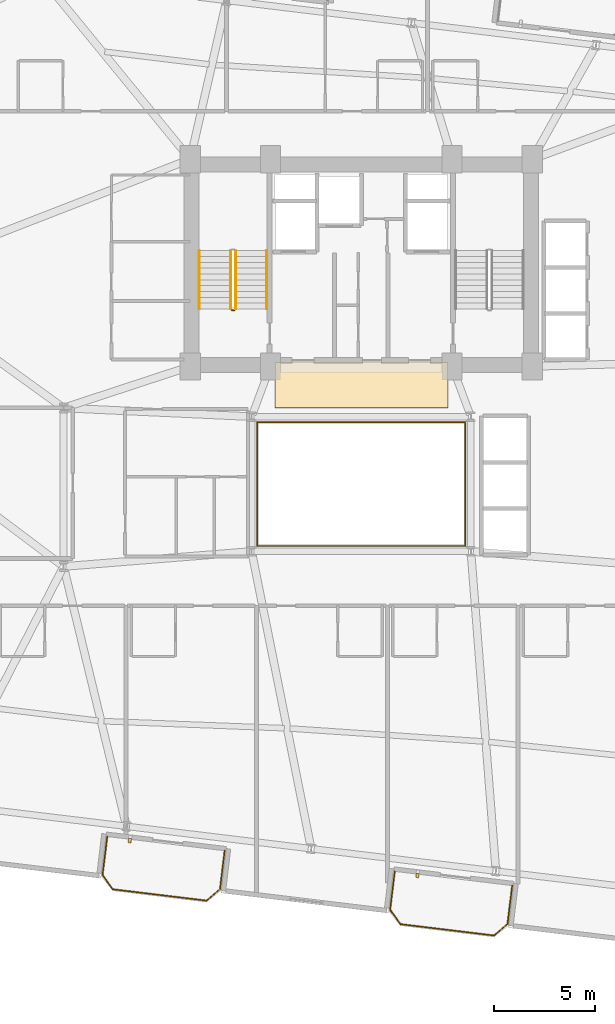
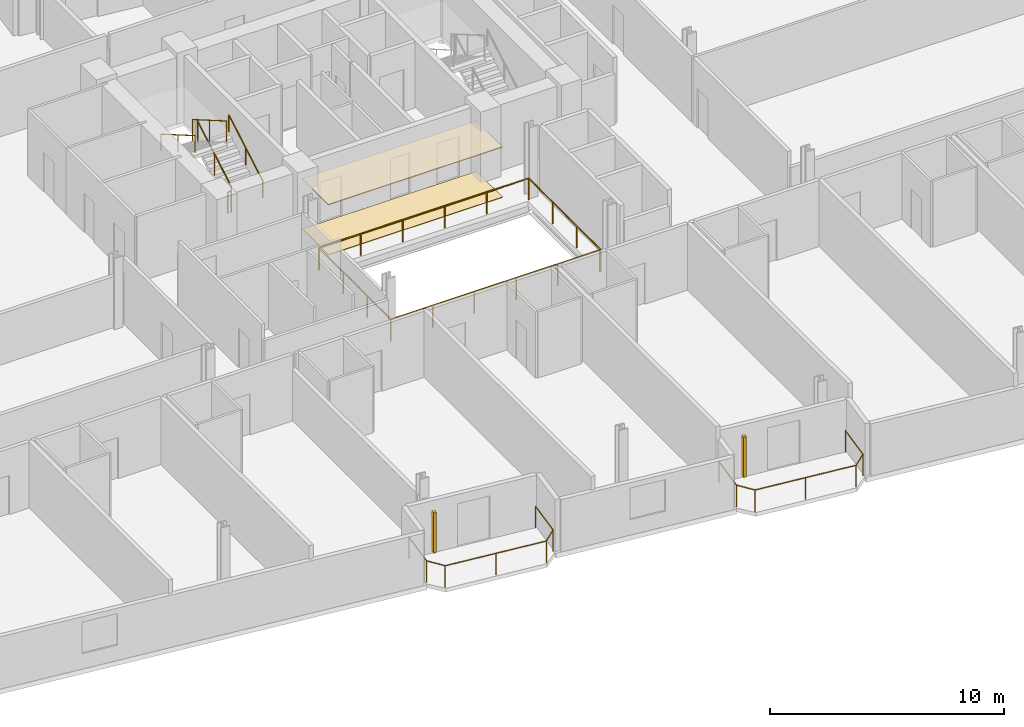
# One storey, part 25 of 26: 9 railings, 2 coverings, 2 shading devices.
"""IFC4 building model written with IfcOpenShell, lengths in metres."""

from ifc_helpers import new_model, si_unit, direction, frame, origin, origin_2d, place, context, subcontext, project, spatial, rectangle, circle, extrude, source, transform, mapped, material, layer, layer_set, type_object, element, save


model = new_model("IFC4")

# Units and contexts
model_context = context("Model", 3, precision=1e-05, world=origin(), true_north=direction((0.0, 1.0)))
body_context = subcontext(model_context, "Body", "Model", "MODEL_VIEW")
ifc_project = project(units=[si_unit("LENGTHUNIT", "METRE"), si_unit("AREAUNIT", "SQUARE_METRE"), si_unit("VOLUMEUNIT", "CUBIC_METRE"), si_unit("PLANEANGLEUNIT", "RADIAN"), si_unit("MASSUNIT", "GRAM", prefix="KILO")], contexts=[model_context])

# Site, building, storey
site_placement = place(None, origin())
site = spatial("IfcSite", under=ifc_project, at=site_placement, CompositionType="ELEMENT")
building_placement = place(site_placement, origin())
building = spatial("IfcBuilding", under=site, at=building_placement, Name="Varnelok Gate Tower", CompositionType="ELEMENT")
storey_placement = place(building_placement, frame((0.0, 0.0, 129.10009765625)))
storey = spatial("IfcBuildingStorey", under=building, at=storey_placement, Name="L32", CompositionType="ELEMENT", Elevation=129.10009765625)

# Railings
ifc_material_1 = material(Name="Tempered Laminated Balustrade Glass", Category="glass")
railing_type_1 = type_object("IfcRailingType", Name="RL-ATR-GUARD1150", PredefinedType="GUARDRAIL", material=ifc_material_1)
railing_1_placement = place(storey_placement, frame((34.02001953125, 25.929931640625, 0.0)))
element("IfcRailing", 1, at=railing_1_placement, inside=storey, type_object=railing_type_1, Name="L32 Internal Atrium South-West Guardrail", PredefinedType="GUARDRAIL", context=body_context, shape_type="SweptSolid", body=[
    extrude(circle(Radius=0.02392578125, at=origin_2d()), frame((0.0, 0.0, 1.1259765625), z_axis=(0.0, -1.0, 0.0), x_axis=(1.0, 0.0, 0.0)), (0.0, 0.0, 1.0), 6.10986328125),
    extrude(circle(Radius=0.02392578125, at=origin_2d()), frame((0.0, -6.10986328125, 1.1259765625), z_axis=(1.0, 0.0, 0.0), x_axis=(0.0, 1.0, 0.0)), (0.0, 0.0, 1.0), 10.31005859375),
    extrude(circle(Radius=0.02099609375, at=origin_2d()), origin(), (0.0, 0.0, 1.0), 1.101806640625),
    extrude(circle(Radius=0.02099609375, at=origin_2d()), frame((0.0, -2.03662109375, 0.0)), (0.0, 0.0, 1.0), 1.101806640625),
    extrude(circle(Radius=0.02099609375, at=origin_2d()), frame((0.0, -4.0732421875, 0.0)), (0.0, 0.0, 1.0), 1.101806640625),
    extrude(circle(Radius=0.02099609375, at=origin_2d()), frame((0.0, -6.10986328125, 0.0)), (0.0, 0.0, 1.0), 1.101806640625),
    extrude(circle(Radius=0.02099609375, at=origin_2d()), frame((2.06201171875, -6.10986328125, 0.0)), (0.0, 0.0, 1.0), 1.101806640625),
    extrude(circle(Radius=0.02099609375, at=origin_2d()), frame((4.1240234375, -6.10986328125, 0.0)), (0.0, 0.0, 1.0), 1.101806640625),
    extrude(circle(Radius=0.02099609375, at=origin_2d()), frame((6.18603515625, -6.10986328125, 0.0)), (0.0, 0.0, 1.0), 1.101806640625),
    extrude(circle(Radius=0.02099609375, at=origin_2d()), frame((8.248046875, -6.10986328125, 0.0)), (0.0, 0.0, 1.0), 1.101806640625),
    extrude(circle(Radius=0.02099609375, at=origin_2d()), frame((10.31005859375, -6.10986328125, 0.0)), (0.0, 0.0, 1.0), 1.101806640625),
])
railing_2_placement = place(storey_placement, frame((44.3798828125, 19.820068359375, 0.0)))
element("IfcRailing", 2, at=railing_2_placement, inside=storey, type_object=railing_type_1, Name="L32 Internal Atrium North-East Guardrail", PredefinedType="GUARDRAIL", context=body_context, shape_type="SweptSolid", body=[
    extrude(circle(Radius=0.02392578125, at=origin_2d()), frame((0.0, 0.0, 1.1259765625), z_axis=(0.0, 1.0, 0.0), x_axis=(-1.0, 0.0, 0.0)), (0.0, 0.0, 1.0), 6.159912109375),
    extrude(circle(Radius=0.02392578125, at=origin_2d()), frame((0.0, 6.159912109375, 1.1259765625), z_axis=(-1.0, 0.0, 0.0), x_axis=(0.0, -1.0, 0.0)), (0.0, 0.0, 1.0), 10.35986328125),
    extrude(circle(Radius=0.02099609375, at=origin_2d()), origin(), (0.0, 0.0, 1.0), 1.101806640625),
    extrude(circle(Radius=0.02099609375, at=origin_2d()), frame((0.0, 2.05322265625, 0.0)), (0.0, 0.0, 1.0), 1.101806640625),
    extrude(circle(Radius=0.02099609375, at=origin_2d()), frame((0.0, 4.106689453125, 0.0)), (0.0, 0.0, 1.0), 1.101806640625),
    extrude(circle(Radius=0.02099609375, at=origin_2d()), frame((0.0, 6.159912109375, 0.0)), (0.0, 0.0, 1.0), 1.101806640625),
    extrude(circle(Radius=0.02099609375, at=origin_2d()), frame((-2.072021484375, 6.159912109375, 0.0)), (0.0, 0.0, 1.0), 1.101806640625),
    extrude(circle(Radius=0.02099609375, at=origin_2d()), frame((-4.14404296875, 6.159912109375, 0.0)), (0.0, 0.0, 1.0), 1.101806640625),
    extrude(circle(Radius=0.02099609375, at=origin_2d()), frame((-6.2158203125, 6.159912109375, 0.0)), (0.0, 0.0, 1.0), 1.101806640625),
    extrude(circle(Radius=0.02099609375, at=origin_2d()), frame((-8.287841796875, 6.159912109375, 0.0)), (0.0, 0.0, 1.0), 1.101806640625),
    extrude(circle(Radius=0.02099609375, at=origin_2d()), frame((-10.35986328125, 6.159912109375, 0.0)), (0.0, 0.0, 1.0), 1.101806640625),
])
ifc_material_2 = material(Name="Low-E Laminated Double Glazing IGU", Category="glass")
railing_type_2 = type_object("IfcRailingType", Name="RL-BALC-1150", PredefinedType="BALUSTRADE", material=ifc_material_2)
railing_3_placement = place(storey_placement, frame((26.5703125, 5.375, 0.0)))
element("IfcRailing", 3, at=railing_3_placement, inside=storey, type_object=railing_type_2, Name="L32 South Terrace Balustrade 1", PredefinedType="BALUSTRADE", context=body_context, shape_type="SweptSolid", body=[
    extrude(circle(Radius=0.02392578125, at=origin_2d()), frame((0.0, 0.0, 1.1259765625), z_axis=(-0.120293392036, -0.992738384386, 0.0), x_axis=(0.992738384386, -0.120293392036, 0.0)), (0.0, 0.0, 1.0), 1.919921875),
    extrude(circle(Radius=0.02392578125, at=origin_2d()), frame((-0.23095703125, -1.906005859375, 1.1259765625), z_axis=(0.577971037086, -0.816057277579, 0.0), x_axis=(0.816057277579, 0.577971037086, 0.0)), (0.0, 0.0, 1.0), 0.877685546875),
    extrude(circle(Radius=0.02392578125, at=origin_2d()), frame((0.2763671875, -2.622314453125, 1.1259765625), z_axis=(0.992737542139, -0.120300342591, 0.0), x_axis=(0.120300342591, 0.992737542139, 0.0)), (0.0, 0.0, 1.0), 4.7001953125),
    extrude(circle(Radius=0.02392578125, at=origin_2d()), frame((4.9423828125, -3.187744140625, 1.1259765625), z_axis=(0.756303655992, 0.654220742513, 0.0), x_axis=(-0.654220742513, 0.756303655992, 0.0)), (0.0, 0.0, 1.0), 0.877685546875),
    extrude(circle(Radius=0.02392578125, at=origin_2d()), frame((5.606201171875, -2.613525390625, 1.1259765625), z_axis=(0.120418709125, 0.992723191274, 0.0), x_axis=(-0.992723191274, 0.120418709125, 0.0)), (0.0, 0.0, 1.0), 1.919921875),
    extrude(circle(Radius=0.02099609375, at=origin_2d()), origin(), (0.0, 0.0, 1.0), 1.101806640625),
    extrude(circle(Radius=0.02099609375, at=origin_2d()), frame((-0.23095703125, -1.906005859375, 0.0)), (0.0, 0.0, 1.0), 1.101806640625),
    extrude(circle(Radius=0.02099609375, at=origin_2d()), frame((0.2763671875, -2.622314453125, 0.0)), (0.0, 0.0, 1.0), 1.101806640625),
    extrude(circle(Radius=0.02099609375, at=origin_2d()), frame((2.609375, -2.905029296875, 0.0)), (0.0, 0.0, 1.0), 1.101806640625),
    extrude(circle(Radius=0.02099609375, at=origin_2d()), frame((4.9423828125, -3.187744140625, 0.0)), (0.0, 0.0, 1.0), 1.101806640625),
    extrude(circle(Radius=0.02099609375, at=origin_2d()), frame((5.606201171875, -2.613525390625, 0.0)), (0.0, 0.0, 1.0), 1.101806640625),
    extrude(circle(Radius=0.02099609375, at=origin_2d()), frame((5.83740234375, -0.70751953125, 0.0)), (0.0, 0.0, 1.0), 1.101806640625),
])
railing_4_placement = place(storey_placement, frame((40.86572265625, 3.64208984375, 0.0)))
element("IfcRailing", 4, at=railing_4_placement, inside=storey, type_object=railing_type_2, Name="L32 South Terrace Balustrade 2", PredefinedType="BALUSTRADE", context=body_context, shape_type="SweptSolid", body=[
    extrude(circle(Radius=0.02392578125, at=origin_2d()), frame((0.0, 0.0, 1.1259765625), z_axis=(-0.120418709125, -0.992723191274, 0.0), x_axis=(0.992723191274, -0.120418709125, 0.0)), (0.0, 0.0, 1.0), 1.919921875),
    extrude(circle(Radius=0.02392578125, at=origin_2d()), frame((-0.231201171875, -1.906005859375, 1.1259765625), z_axis=(0.57815621837, -0.815926091726, 0.0), x_axis=(0.815926091726, 0.57815621837, 0.0)), (0.0, 0.0, 1.0), 0.8779296875),
    extrude(circle(Radius=0.02392578125, at=origin_2d()), frame((0.2763671875, -2.622314453125, 1.1259765625), z_axis=(0.99273133746, -0.120351533534, 0.0), x_axis=(0.120351533534, 0.99273133746, 0.0)), (0.0, 0.0, 1.0), 4.7001953125),
    extrude(circle(Radius=0.02392578125, at=origin_2d()), frame((4.9423828125, -3.18798828125, 1.1259765625), z_axis=(0.756166036083, 0.654379802465, 0.0), x_axis=(-0.654379802465, 0.756166036083, 0.0)), (0.0, 0.0, 1.0), 0.8779296875),
    extrude(circle(Radius=0.02392578125, at=origin_2d()), frame((5.606201171875, -2.613525390625, 1.1259765625), z_axis=(0.120293392036, 0.992738384386, 0.0), x_axis=(-0.992738384386, 0.120293392036, 0.0)), (0.0, 0.0, 1.0), 1.919921875),
    extrude(circle(Radius=0.02099609375, at=origin_2d()), origin(), (0.0, 0.0, 1.0), 1.101806640625),
    extrude(circle(Radius=0.02099609375, at=origin_2d()), frame((-0.231201171875, -1.906005859375, 0.0)), (0.0, 0.0, 1.0), 1.101806640625),
    extrude(circle(Radius=0.02099609375, at=origin_2d()), frame((0.2763671875, -2.622314453125, 0.0)), (0.0, 0.0, 1.0), 1.101806640625),
    extrude(circle(Radius=0.02099609375, at=origin_2d()), frame((2.609375, -2.9052734375, 0.0)), (0.0, 0.0, 1.0), 1.101806640625),
    extrude(circle(Radius=0.02099609375, at=origin_2d()), frame((4.9423828125, -3.18798828125, 0.0)), (0.0, 0.0, 1.0), 1.101806640625),
    extrude(circle(Radius=0.02099609375, at=origin_2d()), frame((5.606201171875, -2.613525390625, 0.0)), (0.0, 0.0, 1.0), 1.101806640625),
    extrude(circle(Radius=0.02099609375, at=origin_2d()), frame((5.837158203125, -0.70751953125, 0.0)), (0.0, 0.0, 1.0), 1.101806640625),
])
ifc_material_3 = material(Name="Brushed Stainless Steel AISI 316", Category="steel")
railing_type_3 = type_object("IfcRailingType", Name="RL-HANDRAIL-900", PredefinedType="HANDRAIL", material=ifc_material_3)
railing_5_placement = place(storey_placement, frame((34.5, 31.60009765625, 0.16796875)))
element("IfcRailing", 5, at=railing_5_placement, inside=storey, type_object=railing_type_3, Name="L32 ST-1 stair handrail 1", PredefinedType="HANDRAIL", context=body_context, shape_type="SweptSolid", body=[
    extrude(circle(Radius=0.02392578125, at=origin_2d()), frame((0.0, 0.0, 0.8759765625), z_axis=(0.0, 0.865038774852, 0.501705010941), x_axis=(-1.0, 0.0, 0.0)), (0.0, 0.0, 1.0), 3.352294921875),
    extrude(circle(Radius=0.02099609375, at=origin_2d()), origin(), (0.0, 0.0, 1.0), 0.851806640625),
    extrude(circle(Radius=0.02099609375, at=origin_2d()), frame((0.0, 1.449951171875, 0.8408203125)), (0.0, 0.0, 1.0), 0.851806640625),
    extrude(circle(Radius=0.02099609375, at=origin_2d()), frame((0.0, 2.89990234375, 1.681884765625)), (0.0, 0.0, 1.0), 0.851806640625),
])
railing_6_placement = place(storey_placement, frame((31.14990234375, 34.5, 2.01806640625)))
element("IfcRailing", 6, at=railing_6_placement, inside=storey, type_object=railing_type_3, Name="L32 ST-1 stair handrail 2", PredefinedType="HANDRAIL", context=body_context, shape_type="SweptSolid", body=[
    extrude(circle(Radius=0.02392578125, at=origin_2d()), frame((0.0, 0.0, 0.8759765625), z_axis=(0.0, -0.865038774852, 0.501705010941), x_axis=(1.0, 0.0, 0.0)), (0.0, 0.0, 1.0), 3.352294921875),
    extrude(circle(Radius=0.02099609375, at=origin_2d()), origin(), (0.0, 0.0, 1.0), 0.851806640625),
    extrude(circle(Radius=0.02099609375, at=origin_2d()), frame((0.0, -1.449951171875, 0.8408203125)), (0.0, 0.0, 1.0), 0.851806640625),
    extrude(circle(Radius=0.02099609375, at=origin_2d()), frame((0.0, -2.89990234375, 1.681884765625)), (0.0, 0.0, 1.0), 0.851806640625),
])
ifc_material_4 = material(Name="Galvanized Steel Grade S350GD", Category="steel")
railing_type_4 = type_object("IfcRailingType", Name="RL-STAIR-GUARD1120", PredefinedType="GUARDRAIL", material=ifc_material_4)
railing_7_placement = place(storey_placement, frame((32.949951171875, 31.60009765625, 0.16796875)))
element("IfcRailing", 7, at=railing_7_placement, inside=storey, type_object=railing_type_4, Name="L32 ST-1 stair guard 1", PredefinedType="GUARDRAIL", context=body_context, shape_type="SweptSolid", body=[
    extrude(circle(Radius=0.02392578125, at=origin_2d()), frame((0.0, 0.0, 1.09619140625), z_axis=(0.0, 0.865038774852, 0.501705010941), x_axis=(-1.0, 0.0, 0.0)), (0.0, 0.0, 1.0), 3.352294921875),
    extrude(circle(Radius=0.02099609375, at=origin_2d()), origin(), (0.0, 0.0, 1.0), 1.072021484375),
    extrude(circle(Radius=0.02099609375, at=origin_2d()), frame((0.0, 1.449951171875, 0.8408203125)), (0.0, 0.0, 1.0), 1.072021484375),
    extrude(circle(Radius=0.02099609375, at=origin_2d()), frame((0.0, 2.89990234375, 1.681884765625)), (0.0, 0.0, 1.0), 1.072021484375),
])
railing_8_placement = place(storey_placement, frame((32.699951171875, 34.5, 2.01806640625)))
element("IfcRailing", 8, at=railing_8_placement, inside=storey, type_object=railing_type_4, Name="L32 ST-1 stair guard 3", PredefinedType="GUARDRAIL", context=body_context, shape_type="SweptSolid", body=[
    extrude(circle(Radius=0.02392578125, at=origin_2d()), frame((0.0, 0.0, 1.09619140625), z_axis=(0.0, -0.865038774852, 0.501705010941), x_axis=(1.0, 0.0, 0.0)), (0.0, 0.0, 1.0), 3.352294921875),
    extrude(circle(Radius=0.02099609375, at=origin_2d()), origin(), (0.0, 0.0, 1.0), 1.072021484375),
    extrude(circle(Radius=0.02099609375, at=origin_2d()), frame((0.0, -1.449951171875, 0.8408203125)), (0.0, 0.0, 1.0), 1.072021484375),
    extrude(circle(Radius=0.02099609375, at=origin_2d()), frame((0.0, -2.89990234375, 1.681884765625)), (0.0, 0.0, 1.0), 1.072021484375),
])
railing_9_placement = place(storey_placement, frame((32.89990234375, 31.550048828125, 0.0)))
element("IfcRailing", 9, at=railing_9_placement, inside=storey, type_object=railing_type_4, Name="L32 ST-1 stair guard 4", PredefinedType="GUARDRAIL", context=body_context, shape_type="SweptSolid", body=[
    extrude(circle(Radius=0.02392578125, at=origin_2d()), frame((0.0, 0.0, 1.09619140625), z_axis=(-1.0, 0.0, 0.0), x_axis=(0.0, -1.0, 0.0)), (0.0, 0.0, 1.0), 0.14990234375),
    extrude(circle(Radius=0.02099609375, at=origin_2d()), origin(), (0.0, 0.0, 1.0), 1.072021484375),
    extrude(circle(Radius=0.02099609375, at=origin_2d()), frame((-0.14990234375, 0.0, 0.0)), (0.0, 0.0, 1.0), 1.072021484375),
])

# Shading devices
ifc_material_5 = material(Name="Glazed Architectural Terracotta Ceramic", Category="masonry")
shading_device_type = type_object("IfcShadingDeviceType", Name="SHD-TERRA-BAGUETTE", PredefinedType="USERDEFINED", material=ifc_material_5)
shared_shape_1 = source(origin(), body_context, "Body", "SweptSolid", [
    extrude(rectangle(XDim=0.139892578125, YDim=0.219970703125, at=origin_2d()), origin(), (0.0, 0.0, 1.0), 2.10009765625),
])
for number, where, z_axis, x_axis, name in (
    (10, (27.693603515625, 5.16845703125, 0.099853515625), (0.0, 0.0, 1.0), (0.992732158755, -0.12034475881, 0.0), "L32 Terracotta Ceramic Baguette Sunscreen 1.1"),
    (11, (41.989013671875, 3.435546875, 0.099853515625), (0.0, 0.0, 1.0), (0.992732158755, -0.12034475881, 0.0), "L32 Terracotta Ceramic Baguette Sunscreen 2.1"),
):
    element("IfcShadingDevice", number, at=place(storey_placement, frame(where, z_axis=z_axis, x_axis=x_axis)), inside=storey, type_object=shading_device_type, Name=name, ObjectType="BAGUETTE", PredefinedType="USERDEFINED", context=body_context, shape_type="MappedRepresentation", body=[
        mapped(shared_shape_1, transform((0.0, 0.0, 0.0), scale=1.0)),
    ])

# Coverings
ifc_material_6 = material(Name="Honed Travertine Stone Flooring", Category="masonry")
ifc_layer_1 = layer(ifc_material_6, 0.02490234375)
ifc_layer_set_1 = layer_set([ifc_layer_1], Name="Honed Travertine Stone Flooring")
covering_type_1 = type_object("IfcCoveringType", Name="COV-FLOR-STONE", PredefinedType="FLOORING", material=ifc_layer_set_1)
shared_shape_2 = source(origin(), body_context, "Body", "SweptSolid", [
    extrude(rectangle(XDim=8.60009765625, YDim=2.219970703125, at=origin_2d()), origin(), (0.0, 0.0, 1.0), 0.02490234375),
])
covering_1_placement = place(storey_placement, frame((39.199951171875, 27.800048828125, 0.0), z_axis=(0.0, 0.0, 1.0), x_axis=(1.0, 0.0, 0.0)))
element("IfcCovering", 12, at=covering_1_placement, inside=storey, type_object=covering_type_1, Name="L32 Core Gallery Stone Flooring", PredefinedType="FLOORING", context=body_context, shape_type="MappedRepresentation", body=[
    mapped(shared_shape_2, transform((0.0, 0.0, 0.0), scale=1.0)),
])
ifc_material_7 = material(Name="Mineral Fiber Acoustic Ceiling Tile")
ifc_layer_2 = layer(ifc_material_7, 0.0400390625)
ifc_layer_set_2 = layer_set([ifc_layer_2], Name="Mineral Fiber Acoustic Ceiling Tile")
covering_type_2 = type_object("IfcCoveringType", Name="COV-CEIL-ACOUST", PredefinedType="CEILING", material=ifc_layer_set_2)
shared_shape_3 = source(origin(), body_context, "Body", "SweptSolid", [
    extrude(rectangle(XDim=8.60009765625, YDim=2.239990234375, at=origin_2d()), origin(), (0.0, 0.0, 1.0), 0.0400390625),
])
covering_2_placement = place(storey_placement, frame((39.199951171875, 27.820068359375, 2.599853515625), z_axis=(0.0, 0.0, 1.0), x_axis=(1.0, 0.0, 0.0)))
element("IfcCovering", 13, at=covering_2_placement, inside=storey, type_object=covering_type_2, Name="L32 Core Gallery Acoustic Ceiling", PredefinedType="CEILING", context=body_context, shape_type="MappedRepresentation", body=[
    mapped(shared_shape_3, transform((0.0, 0.0, 0.0), scale=1.0)),
])

save(model, "model.ifc")
